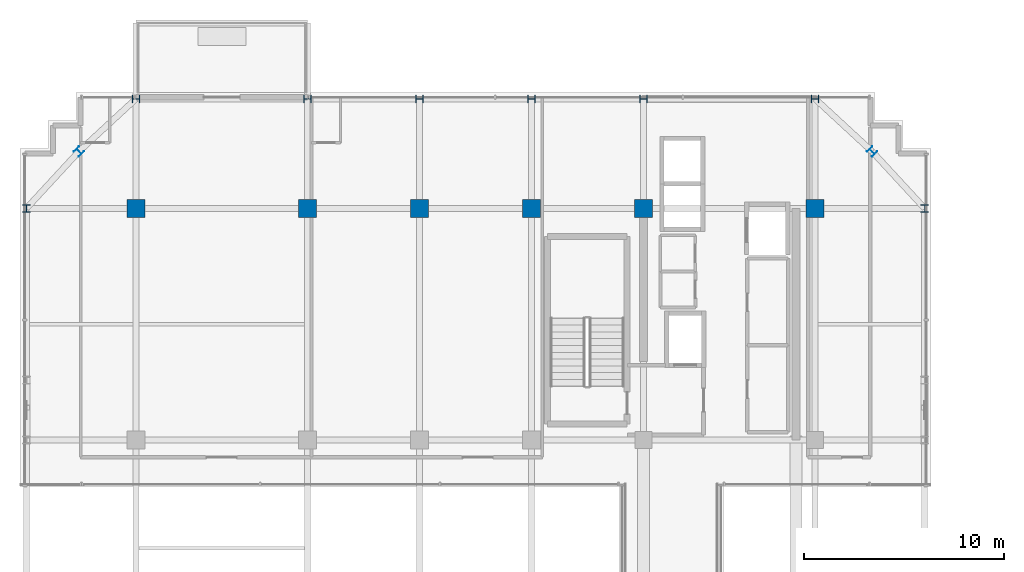
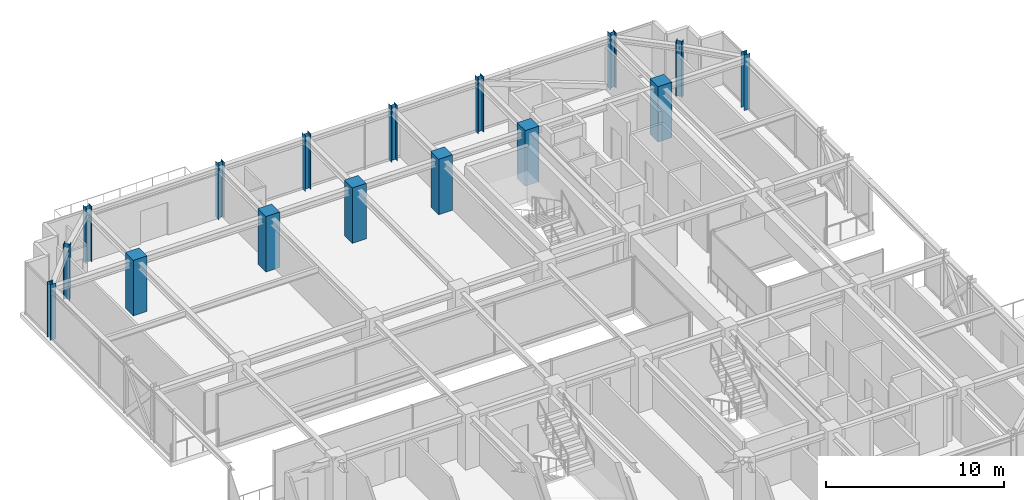
# One storey, part 3 of 39: 16 columns.
"""IFC4 building model written with IfcOpenShell, lengths in metres."""

from ifc_helpers import new_model, si_unit, direction, frame, origin, origin_2d, place, context, subcontext, project, spatial, rectangle, i_section, extrude, source, transform, mapped, material, material_profile, profile_set, type_object, element, save


model = new_model("IFC4")

# Units and contexts
model_context = context("Model", 3, precision=1e-05, world=origin(), true_north=direction((0.0, 1.0)))
body_context = subcontext(model_context, "Body", "Model", "MODEL_VIEW")
ifc_project = project(units=[si_unit("LENGTHUNIT", "METRE"), si_unit("AREAUNIT", "SQUARE_METRE"), si_unit("VOLUMEUNIT", "CUBIC_METRE"), si_unit("PLANEANGLEUNIT", "RADIAN"), si_unit("MASSUNIT", "GRAM", prefix="KILO")], contexts=[model_context])

# Site, building, storey
site_placement = place(None, origin())
site = spatial("IfcSite", under=ifc_project, at=site_placement, CompositionType="ELEMENT")
building_placement = place(site_placement, origin())
building = spatial("IfcBuilding", under=site, at=building_placement, Name="Nahalor Promenade Grand Hotel", CompositionType="ELEMENT")
storey_placement = place(building_placement, frame((0.0, 0.0, 311.89990234375)))
storey = spatial("IfcBuildingStorey", under=building, at=storey_placement, Name="L80", CompositionType="ELEMENT", Elevation=311.89990234375)

# Columns
ifc_material_1 = material(Name="Concrete B-50 (C40/50)", Category="concrete")
ifc_material_profile_1 = material_profile(ifc_material_1, rectangle(XDim=0.9, YDim=0.9, at=origin_2d()), Name="RC 900x900")
ifc_profile_set_1 = profile_set([ifc_material_profile_1], Name="Concrete B-50 (C40/50)")
column_type_1 = type_object("IfcColumnType", Name="Col-RC-900", PredefinedType="COLUMN", material=ifc_profile_set_1)
shared_shape_1 = source(origin(), body_context, "Body", "SweptSolid", [
    extrude(rectangle(XDim=0.9, YDim=0.9, at=origin_2d()), origin(), (0.0, 0.0, 1.0), 3.80517578125),
])
for number, where, z_axis, x_axis, name in (
    (1, (-17.0, 17.0, 0.0), (0.0, 0.0, 1.0), (1.0, 0.0, 0.0), "COL-L80-I03"),
    (2, (-8.39990234375, 17.0, 0.0), (0.0, 0.0, 1.0), (1.0, 0.0, 0.0), "COL-L80-I13"),
    (3, (-2.800048828125, 17.0, 0.0), (0.0, 0.0, 1.0), (1.0, 0.0, 0.0), "COL-L80-I23"),
    (4, (2.800048828125, 17.0, 0.0), (0.0, 0.0, 1.0), (1.0, 0.0, 0.0), "COL-L80-I33"),
    (5, (8.39990234375, 17.0, 0.0), (0.0, 0.0, 1.0), (1.0, 0.0, 0.0), "COL-L80-I43"),
    (6, (17.0, 17.0, 0.0), (0.0, 0.0, 1.0), (1.0, 0.0, 0.0), "COL-L80-I53"),
):
    element("IfcColumn", number, at=place(storey_placement, frame(where, z_axis=z_axis, x_axis=x_axis)), inside=storey, type_object=column_type_1, Name=name, PredefinedType="COLUMN", context=body_context, shape_type="MappedRepresentation", body=[
        mapped(shared_shape_1, transform((0.0, 0.0, 0.0), scale=1.0)),
    ])
ifc_material_2 = material(Name="Steel S355JR", Category="steel")
ifc_material_profile_2 = material_profile(ifc_material_2, i_section(OverallWidth=0.374, OverallDepth=0.374, WebThickness=0.0144, FlangeThickness=0.0229, at=origin_2d()), Name="HD 360x262")
ifc_profile_set_2 = profile_set([ifc_material_profile_2], Name="Steel S355JR")
column_type_2 = type_object("IfcColumnType", Name="Col-Steel-HD262", PredefinedType="COLUMN", material=ifc_profile_set_2)
shared_shape_2 = source(origin(), body_context, "Body", "SweptSolid", [
    extrude(i_section(OverallWidth=0.374, OverallDepth=0.374, WebThickness=0.0144, FlangeThickness=0.0229, at=origin_2d()), origin(), (0.0, 0.0, 1.0), 3.80517578125),
])
for number, where, z_axis, x_axis, name in (
    (7, (-22.47998046875, 17.0, 0.0), (0.0, 0.0, 1.0), (1.0, 0.0, 0.0), "COL-L80-PW-W5"),
    (8, (22.47998046875, 17.0, 0.0), (0.0, 0.0, 1.0), (1.0, 0.0, 0.0), "COL-L80-PW-E5"),
    (9, (-17.0, 22.47998046875, 0.0), (0.0, 0.0, 1.0), (0.0, 1.0, 0.0), "COL-L80-PN-N0"),
    (10, (-8.39990234375, 22.47998046875, 0.0), (0.0, 0.0, 1.0), (0.0, 1.0, 0.0), "COL-L80-PN-N1"),
    (11, (-2.800048828125, 22.47998046875, 0.0), (0.0, 0.0, 1.0), (0.0, 1.0, 0.0), "COL-L80-PN-N2"),
    (12, (2.800048828125, 22.47998046875, 0.0), (0.0, 0.0, 1.0), (0.0, 1.0, 0.0), "COL-L80-PN-N3"),
    (13, (8.39990234375, 22.47998046875, 0.0), (0.0, 0.0, 1.0), (0.0, 1.0, 0.0), "COL-L80-PN-N4"),
    (14, (17.0, 22.47998046875, 0.0), (0.0, 0.0, 1.0), (0.0, 1.0, 0.0), "COL-L80-PN-N5"),
    (15, (-19.85009765625, 19.85009765625, 0.0), (0.0, 0.0, 1.0), (0.707106781187, 0.707106781187, 0.0), "COL-L80-CRN-NW"),
    (16, (19.85009765625, 19.85009765625, 0.0), (0.0, 0.0, 1.0), (0.707106781187, 0.707106781187, 0.0), "COL-L80-CRN-NE"),
):
    element("IfcColumn", number, at=place(storey_placement, frame(where, z_axis=z_axis, x_axis=x_axis)), inside=storey, type_object=column_type_2, Name=name, PredefinedType="COLUMN", context=body_context, shape_type="MappedRepresentation", body=[
        mapped(shared_shape_2, transform((0.0, 0.0, 0.0), scale=1.0)),
    ])

save(model, "model.ifc")
